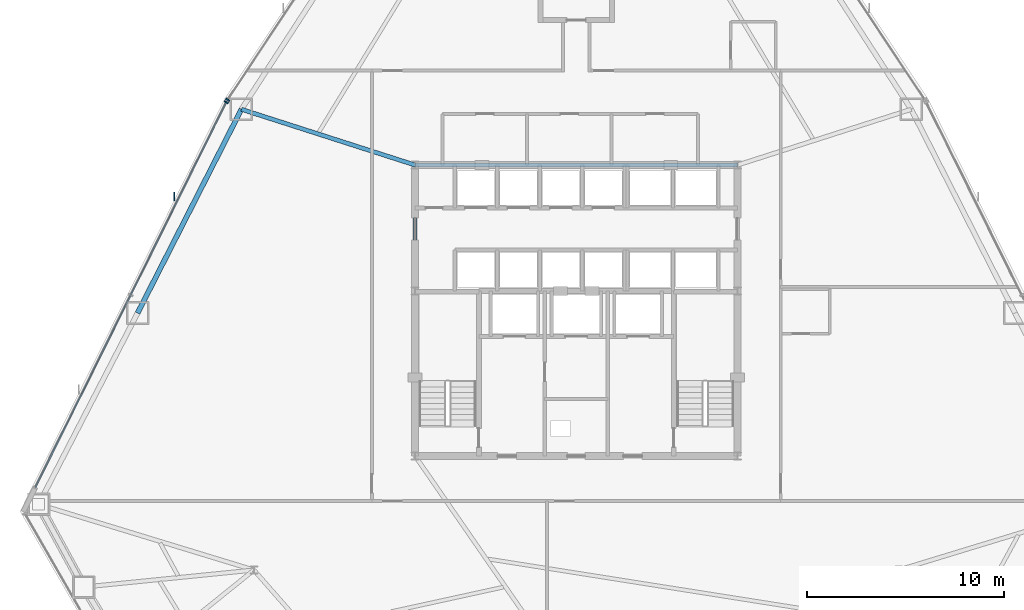
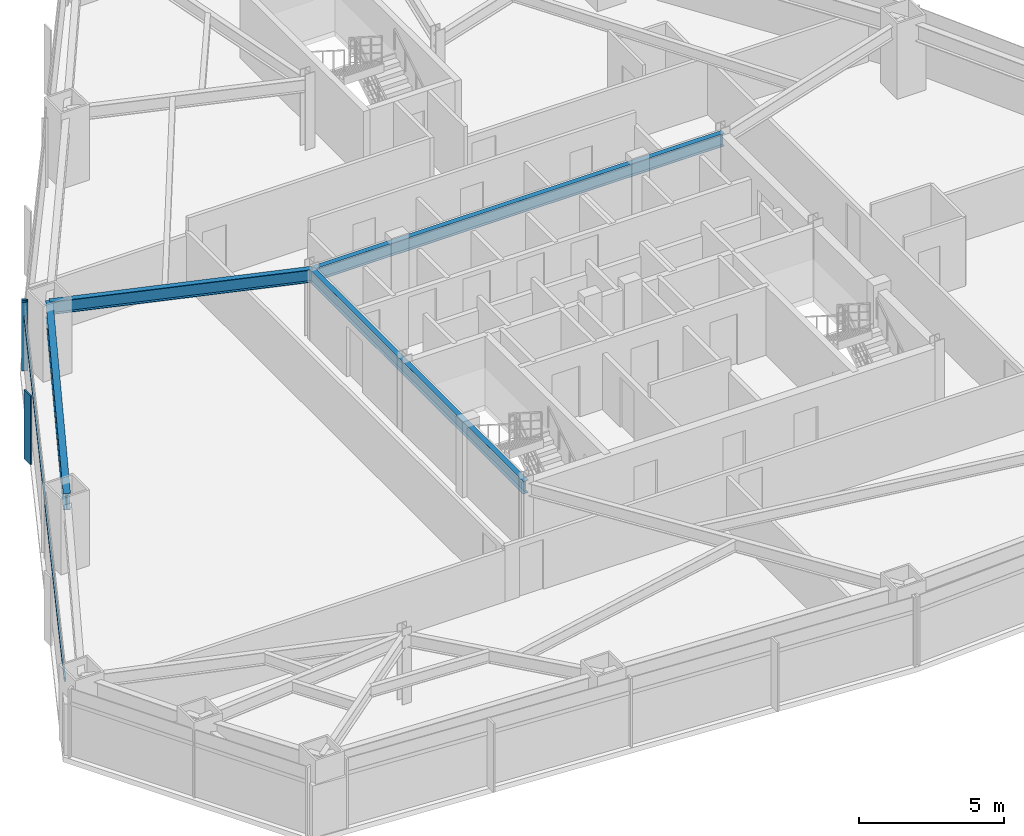
# One storey, part 5 of 12: 4 beams, 4 members, 2 elements without a shape of their own.
"""IFC4 building model written with IfcOpenShell, lengths in metres."""

from ifc_helpers import new_model, si_unit, direction, frame, origin, origin_2d, place, context, subcontext, project, spatial, rectangle, i_section, extrude, source, transform, mapped, material, layer, layer_set, material_profile, profile_set, type_object, type_shapes, element, aggregate, save


model = new_model("IFC4")

# Units and contexts
model_context = context("Model", 3, precision=1e-05, world=origin(), true_north=direction((0.0, 1.0)))
body_context = subcontext(model_context, "Body", "Model", "MODEL_VIEW")
ifc_project = project(units=[si_unit("LENGTHUNIT", "METRE"), si_unit("AREAUNIT", "SQUARE_METRE"), si_unit("VOLUMEUNIT", "CUBIC_METRE"), si_unit("PLANEANGLEUNIT", "RADIAN"), si_unit("MASSUNIT", "GRAM", prefix="KILO")], contexts=[model_context])

# Site, building, storey
site_placement = place(None, origin())
site = spatial("IfcSite", under=ifc_project, at=site_placement, CompositionType="ELEMENT")
building_placement = place(site_placement, origin())
building = spatial("IfcBuilding", under=site, at=building_placement, Name="Varakhsha Concourse Tower", CompositionType="ELEMENT")
storey_placement = place(building_placement, frame((0.0, 0.0, 65.60009765625)))
storey = spatial("IfcBuildingStorey", under=building, at=storey_placement, Name="L18", CompositionType="ELEMENT", Elevation=65.60009765625)

# Beams
ifc_material_1 = material(Name="Structural Steel ASTM A992 Grade 50", Category="steel")
ifc_material_profile_1 = material_profile(ifc_material_1, i_section(OverallWidth=0.2109375, OverallDepth=0.5390625, WebThickness=0.011962890625, FlangeThickness=0.01904296875, at=origin_2d()), Name="W21X73")
ifc_profile_set_1 = profile_set([ifc_material_profile_1], Name="Structural Steel ASTM A992 Grade 50")
beam_type_1 = type_object("IfcBeamType", Name="BM-RAD-W21X73", PredefinedType="BEAM", material=ifc_profile_set_1)
beam_1_placement = place(storey_placement, frame((31.800048828125, 31.199951171875, 2.63037109375), z_axis=(1.0, 0.0, 0.0), x_axis=(0.0, 1.0, 0.0)))
element("IfcBeam", 1, at=beam_1_placement, inside=storey, type_object=beam_type_1, Name="BM-TCORE-L18-CN", PredefinedType="BEAM", context=body_context, shape_type="SweptSolid", body=[
    extrude(i_section(OverallWidth=0.2109375, OverallDepth=0.5390625, WebThickness=0.011962890625, FlangeThickness=0.01904296875, at=origin_2d()), origin(), (0.0, 0.0, 1.0), 16.39990234375),
])
beam_2_placement = place(storey_placement, frame((31.800048828125, 16.39990234375, 2.63037109375), z_axis=(0.0, 1.0, 0.0), x_axis=(-1.0, 0.0, 0.0)))
element("IfcBeam", 2, at=beam_2_placement, inside=storey, type_object=beam_type_1, Name="BM-TCORE-L18-CW", PredefinedType="BEAM", context=body_context, shape_type="SweptSolid", body=[
    extrude(i_section(OverallWidth=0.2109375, OverallDepth=0.5390625, WebThickness=0.011962890625, FlangeThickness=0.01904296875, at=origin_2d()), origin(), (0.0, 0.0, 1.0), 14.800048828125),
])
beam_3_placement = place(storey_placement, frame((31.800048828125, 31.199951171875, 2.63037109375), z_axis=(-0.952173002913, 0.305559441882, 0.0), x_axis=(-0.305559441882, -0.952173002913, 0.0)))
element("IfcBeam", 3, at=beam_3_placement, inside=storey, type_object=beam_type_1, Name="L18 Radial Floor Girder 05", PredefinedType="BEAM", context=body_context, shape_type="SweptSolid", body=[
    extrude(i_section(OverallWidth=0.2109375, OverallDepth=0.5390625, WebThickness=0.011962890625, FlangeThickness=0.01904296875, at=origin_2d()), origin(), (0.0, 0.0, 1.0), 9.27880859375),
])
ifc_material_profile_2 = material_profile(ifc_material_1, i_section(OverallWidth=0.25390625, OverallDepth=0.701904296875, WebThickness=0.014892578125, FlangeThickness=0.028076171875, at=origin_2d()), Name="W27X129")
ifc_profile_set_2 = profile_set([ifc_material_profile_2], Name="Structural Steel ASTM A992 Grade 50")
beam_type_2 = type_object("IfcBeamType", Name="BM-SPAN-W27X129", PredefinedType="SPANDREL", material=ifc_profile_set_2)
beam_4_placement = place(storey_placement, frame((22.965087890625, 34.03515625, 2.548828125), z_axis=(-0.454093687786, -0.890953939726, 0.0), x_axis=(0.890953939726, -0.454093687786, 0.0)))
element("IfcBeam", 4, at=beam_4_placement, inside=storey, type_object=beam_type_2, Name="BM-SPAN-L18-05", PredefinedType="SPANDREL", context=body_context, shape_type="SweptSolid", body=[
    extrude(i_section(OverallWidth=0.25390625, OverallDepth=0.701904296875, WebThickness=0.014892578125, FlangeThickness=0.028076171875, at=origin_2d()), origin(), (0.0, 0.0, 1.0), 11.630859375),
])

# Curtain wall, member
ifc_material_2 = material(Name="Anodised Bronze Architectural Aluminium AA 6063-T6", Category="aluminium")
ifc_layer = layer(ifc_material_2, 0.219970703125, Name="CW-SYS-02")
ifc_layer_set = layer_set([ifc_layer], Name="Anodised Bronze Architectural Aluminium AA 6063-T6")
curtain_wall_type = type_object("IfcCurtainWallType", Name="CW-SYS-02", PredefinedType="NOTDEFINED", material=ifc_layer_set)
curtain_wall_1_placement = place(storey_placement, origin())
curtain_wall_1 = element("IfcCurtainWall", 5, at=curtain_wall_1_placement, inside=storey, type_object=curtain_wall_type, Name="L18 Crystal Curtain Wall F3", PredefinedType="NOTDEFINED")
ifc_material_profile_3 = material_profile(ifc_material_2, rectangle(XDim=0.06494140625, YDim=0.159912109375, at=origin_2d()), Name="CWT-160X65")
ifc_profile_set_3 = profile_set([ifc_material_profile_3], Name="Anodised Bronze Architectural Aluminium AA 6063-T6")
member_type_1 = type_object("IfcMemberType", Name="CWT-160X65", PredefinedType="USERDEFINED", material=ifc_profile_set_3)
shared_shape_1 = source(origin(), body_context, "Body", "SweptSolid", [
    extrude(rectangle(XDim=0.06494140625, YDim=0.159912109375, at=origin_2d()), origin(), (0.0, 0.0, 1.0), 21.887939453125),
])
type_shapes(member_type_1, [shared_shape_1])
member_1_placement = place(storey_placement, frame((12.475830078125, 14.787353515625, 2.25), z_axis=(0.444110079116, 0.895972230389, 0.0), x_axis=(-0.895972230389, 0.444110079116, 0.0)))
member_1 = element("IfcMember", 6, at=member_1_placement, type_object=member_type_1, Name="CW-L18-F3 Transom 01", ObjectType="TRANSOM", PredefinedType="USERDEFINED", context=body_context, shape_type="MappedRepresentation", body=[
    mapped(shared_shape_1, transform((0.0, 0.0, 0.0), scale=1.0)),
])

curtain_wall_2_placement = place(storey_placement, origin())
curtain_wall_2 = element("IfcCurtainWall", 7, at=curtain_wall_2_placement, inside=storey, type_object=curtain_wall_type, Name="L18 Crystal Curtain Wall F2", PredefinedType="NOTDEFINED")
ifc_material_profile_4 = material_profile(ifc_material_2, rectangle(XDim=0.074951171875, YDim=0.219970703125, at=origin_2d()), Name="CWM-220X75")
ifc_profile_set_4 = profile_set([ifc_material_profile_4], Name="Anodised Bronze Architectural Aluminium AA 6063-T6")
member_type_2 = type_object("IfcMemberType", Name="CWM-220X75", PredefinedType="MULLION", material=ifc_profile_set_4)
shared_shape_2 = source(origin(), body_context, "Body", "SweptSolid", [
    extrude(rectangle(XDim=0.074951171875, YDim=0.219970703125, at=origin_2d()), origin(), (0.0, 0.0, 1.0), 2.89990234375),
])
type_shapes(member_type_2, [shared_shape_2])
member_2_placement = place(storey_placement, frame((22.26611328125, 34.51904296875, 0.0), z_axis=(0.0, 0.0, 1.0), x_axis=(0.553879904586, 0.832596571753, 0.0)))
member_2 = element("IfcMember", 8, at=member_2_placement, type_object=member_type_2, Name="CW-L18-F2 Mullion 00", PredefinedType="MULLION", context=body_context, shape_type="MappedRepresentation", body=[
    mapped(shared_shape_2, transform((0.0, 0.0, 0.0), scale=1.0)),
])
aggregate(curtain_wall_2, [member_2])

# Member
member_3_placement = place(storey_placement, frame((22.196533203125, 34.3984375, 0.0), z_axis=(0.0, 0.0, 1.0), x_axis=(0.444109829949, 0.895972353894, 0.0)))
member_3 = element("IfcMember", 9, at=member_3_placement, type_object=member_type_2, Name="CW-L18-F3 Mullion 02", PredefinedType="MULLION", context=body_context, shape_type="MappedRepresentation", body=[
    mapped(shared_shape_2, transform((0.0, 0.0, 0.0), scale=1.0)),
])

ifc_material_profile_5 = material_profile(ifc_material_2, rectangle(XDim=0.06494140625, YDim=0.449951171875, at=origin_2d()), Name="FIN-BRZ-450")
ifc_profile_set_5 = profile_set([ifc_material_profile_5], Name="Anodised Bronze Architectural Aluminium AA 6063-T6")
member_type_3 = type_object("IfcMemberType", Name="FIN-BRZ-450", PredefinedType="USERDEFINED", material=ifc_profile_set_5)
shared_shape_3 = source(origin(), body_context, "Body", "SweptSolid", [
    extrude(rectangle(XDim=0.06494140625, YDim=0.449951171875, at=origin_2d()), origin(), (0.0, 0.0, 1.0), 2.89990234375),
])
type_shapes(member_type_3, [shared_shape_3])
member_4_placement = place(storey_placement, frame((19.55126953125, 29.602294921875, 0.0), z_axis=(0.0, 0.0, 1.0), x_axis=(1.0, 0.0, 0.0)))
member_4 = element("IfcMember", 10, at=member_4_placement, type_object=member_type_3, Name="L18 Anodised Bronze Solar Fin F3-2", ObjectType="SOLAR FIN", PredefinedType="USERDEFINED", context=body_context, shape_type="MappedRepresentation", body=[
    mapped(shared_shape_3, transform((0.0, 0.0, 0.0), scale=1.0)),
])

aggregate(curtain_wall_1, [member_3, member_1, member_4])

save(model, "model.ifc")
